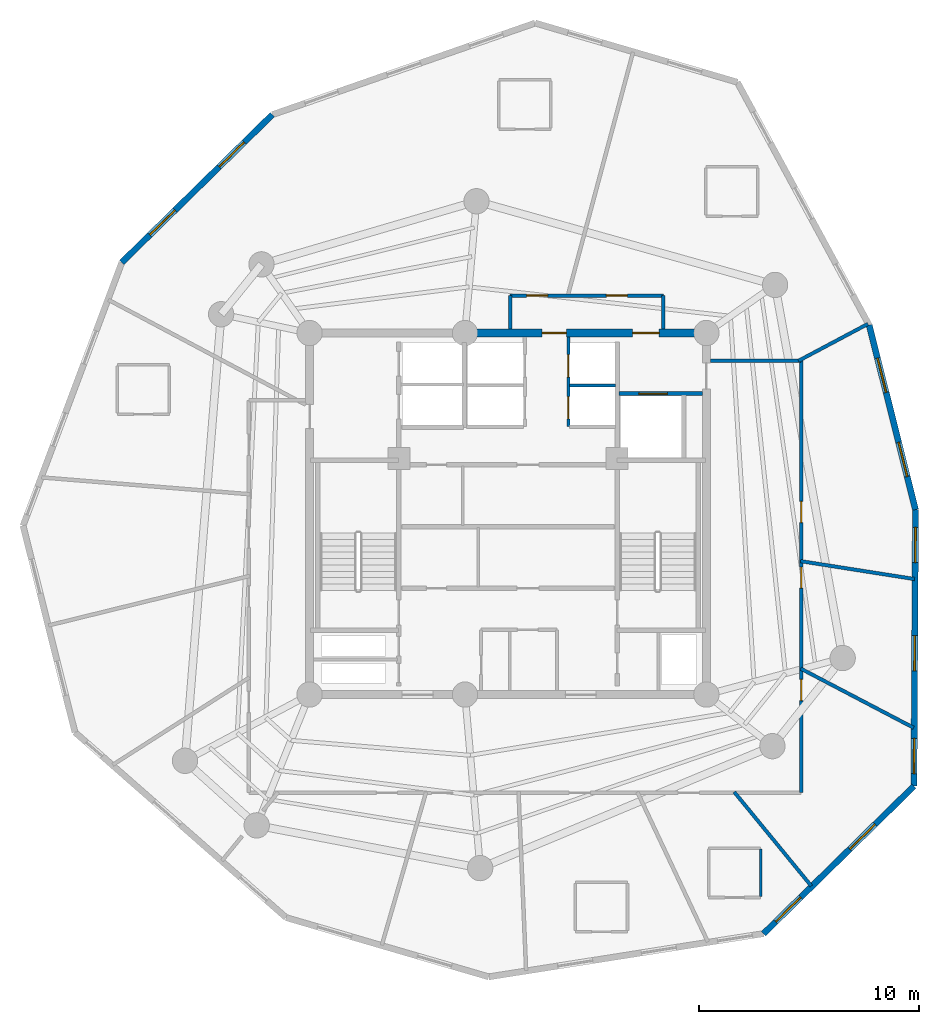
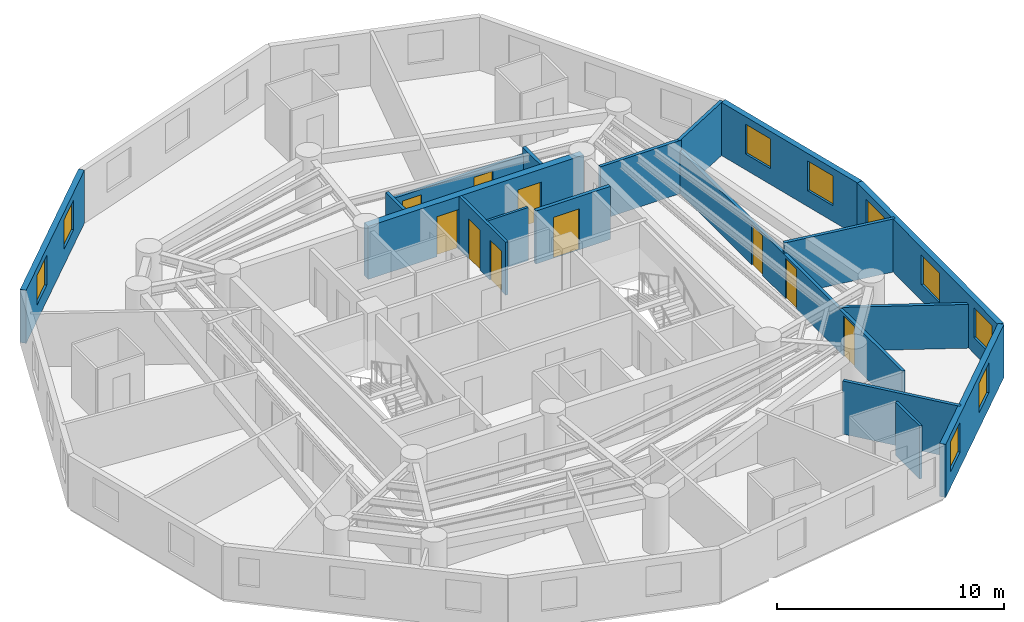
# One storey, part 5 of 7: 18 walls, 10 doors, 9 windows, 19 openings.
"""IFC4 building model written with IfcOpenShell, lengths in metres."""

from ifc_helpers import new_model, si_unit, direction, frame, frame_2d, origin, origin_with_axes, place, context, subcontext, project, spatial, rectangle, extrude, source, transform, mapped, material, layer, layer_set, type_object, element, fill, save


model = new_model("IFC4")

# Units and contexts
model_context = context("Model", 3, precision=1e-05, world=origin(), true_north=direction((0.0, 1.0)))
body_context = subcontext(model_context, "Body", "Model", "MODEL_VIEW")
ifc_project = project(units=[si_unit("LENGTHUNIT", "METRE"), si_unit("AREAUNIT", "SQUARE_METRE"), si_unit("VOLUMEUNIT", "CUBIC_METRE"), si_unit("PLANEANGLEUNIT", "RADIAN"), si_unit("MASSUNIT", "GRAM", prefix="KILO")], contexts=[model_context])

# Site, building, storey
site_placement = place(None, origin())
site = spatial("IfcSite", under=ifc_project, at=site_placement, CompositionType="ELEMENT")
building_placement = place(site_placement, origin())
building = spatial("IfcBuilding", under=site, at=building_placement, Name="Karkom Vertical University and Central Library", CompositionType="ELEMENT")
storey_placement = place(building_placement, frame((0.0, 0.0, 223.0)))
storey = spatial("IfcBuildingStorey", under=building, at=storey_placement, Name="L65", CompositionType="ELEMENT", Elevation=223.0)

# Wall, openings, windows
ifc_material_1 = material(Name="Brick-faced precast concrete C45/55", Category="masonry")
ifc_layer_1 = layer(ifc_material_1, 0.280029296875)
ifc_layer_set_1 = layer_set([ifc_layer_1], Name="Brick-faced precast concrete C45/55")
wall_type_1 = type_object("IfcWallType", Name="ENV-WL-BRK-280", PredefinedType="SOLIDWALL", material=ifc_layer_set_1)
wall_1_placement = place(storey_placement, frame((40.093994140625, 7.45361328125, 0.0), z_axis=(0.0, 0.0, 1.0), x_axis=(0.713743690398, 0.700406984843, 0.0)))
wall_1 = element("IfcWall", 1, at=wall_1_placement, inside=storey, type_object=wall_type_1, Name="Level 65 Brick-Faced Precast Facade Wall 05", PredefinedType="SOLIDWALL", context=body_context, shape_type="SweptSolid", body=[
    extrude(rectangle(XDim=9.5556640625, YDim=0.280029296875, at=frame_2d((4.77783203125, 0.0))), origin(), (0.0, 0.0, 1.0), 2.85009765625),
])
opening_1_placement = place(wall_1_placement, frame((0.76123046875, 0.0, 0.85009765625)))
opening_1 = element("IfcOpeningElement", 2, at=opening_1_placement, cuts=wall_1, Name="Opening WN-10", PredefinedType="OPENING", context=body_context, shape_type="SweptSolid", body=[
    extrude(rectangle(XDim=1.60009765625, YDim=1.60009765625, at=frame_2d((0.800048828125, 0.800048828125))), frame((0.0, 0.14990234375, 0.0), z_axis=(0.0, -1.0, 0.0), x_axis=(1.0, 0.0, 0.0)), (0.0, 0.0, 1.0), 0.300048828125),
])
opening_2_placement = place(wall_1_placement, frame((5.479248046875, 0.0, 0.85009765625)))
opening_2 = element("IfcOpeningElement", 3, at=opening_2_placement, cuts=wall_1, Name="Opening WN-10", PredefinedType="OPENING", context=body_context, shape_type="SweptSolid", body=[
    extrude(rectangle(XDim=1.60009765625, YDim=1.60009765625, at=frame_2d((0.800048828125, 0.800048828125))), frame((0.0, 0.14990234375, 0.0), z_axis=(0.0, -1.0, 0.0), x_axis=(1.0, 0.0, 0.0)), (0.0, 0.0, 1.0), 0.300048828125),
])
ifc_material_2 = material(Name="Aluminium thermal-break frame with solar-control IGU", Category="aluminium")
window_type = type_object("IfcWindowType", Name="ENV-WIN-WN-10", PartitioningType="SINGLE_PANEL", PredefinedType="WINDOW", material=ifc_material_2)
shared_shape_1 = source(origin_with_axes(), body_context, "Body", "SweptSolid", [
    extrude(rectangle(XDim=1.60009765625, YDim=1.60009765625, at=frame_2d((0.800048828125, 0.800048828125))), frame((0.0, 0.030029296875, 0.0), z_axis=(0.0, -1.0, 0.0), x_axis=(1.0, 0.0, 0.0)), (0.0, 0.0, 1.0), 0.06005859375),
])
window_1_placement = place(opening_1_placement, origin())
window_1 = element("IfcWindow", 4, at=window_1_placement, inside=storey, type_object=window_type, Name="Level 65 Punched Window 5.1", OverallHeight=1.60009765625, OverallWidth=1.60009765625, PartitioningType="SINGLE_PANEL", PredefinedType="WINDOW", context=body_context, shape_type="MappedRepresentation", body=[
    mapped(shared_shape_1, transform((0.0, 0.0, 0.0), scale=1.0)),
])
fill(opening_1, window_1)
window_2_placement = place(opening_2_placement, origin())
window_2 = element("IfcWindow", 5, at=window_2_placement, inside=storey, type_object=window_type, Name="Level 65 Punched Window 5.2", OverallHeight=1.60009765625, OverallWidth=1.60009765625, PartitioningType="SINGLE_PANEL", PredefinedType="WINDOW", context=body_context, shape_type="MappedRepresentation", body=[
    mapped(shared_shape_1, transform((0.0, 0.0, 0.0), scale=1.0)),
])
fill(opening_2, window_2)

wall_2_placement = place(storey_placement, frame((46.914306640625, 14.146484375, 0.0), z_axis=(0.0, 0.0, 1.0), x_axis=(0.005645228324, 0.999984065572, 0.0)))
wall_2 = element("IfcWall", 6, at=wall_2_placement, inside=storey, type_object=wall_type_1, Name="Level 65 Brick-Faced Precast Facade Wall 06", PredefinedType="SOLIDWALL", context=body_context, shape_type="SweptSolid", body=[
    extrude(rectangle(XDim=12.541748046875, YDim=0.280029296875, at=frame_2d((6.27099609375, 0.0))), origin(), (0.0, 0.0, 1.0), 2.85009765625),
])
opening_3_placement = place(wall_2_placement, frame((0.562744140625, 0.0, 0.85009765625)))
opening_3 = element("IfcOpeningElement", 7, at=opening_3_placement, cuts=wall_2, Name="Opening WN-10", PredefinedType="OPENING", context=body_context, shape_type="SweptSolid", body=[
    extrude(rectangle(XDim=1.60009765625, YDim=1.60009765625, at=frame_2d((0.800048828125, 0.800048828125))), frame((0.0, 0.14990234375, 0.0), z_axis=(0.0, -1.0, 0.0), x_axis=(1.0, 0.0, 0.0)), (0.0, 0.0, 1.0), 0.300048828125),
])
opening_4_placement = place(wall_2_placement, frame((5.231689453125, 0.0, 0.85009765625)))
opening_4 = element("IfcOpeningElement", 8, at=opening_4_placement, cuts=wall_2, Name="Opening WN-10", PredefinedType="OPENING", context=body_context, shape_type="SweptSolid", body=[
    extrude(rectangle(XDim=1.60009765625, YDim=1.60009765625, at=frame_2d((0.800048828125, 0.800048828125))), frame((0.0, 0.14990234375, 0.0), z_axis=(0.0, -1.0, 0.0), x_axis=(1.0, 0.0, 0.0)), (0.0, 0.0, 1.0), 0.300048828125),
])
opening_5_placement = place(wall_2_placement, frame((10.139892578125, 0.0, 0.85009765625)))
opening_5 = element("IfcOpeningElement", 9, at=opening_5_placement, cuts=wall_2, Name="Opening WN-10", PredefinedType="OPENING", context=body_context, shape_type="SweptSolid", body=[
    extrude(rectangle(XDim=1.60009765625, YDim=1.60009765625, at=frame_2d((0.800048828125, 0.800048828125))), frame((0.0, 0.14990234375, 0.0), z_axis=(0.0, -1.0, 0.0), x_axis=(1.0, 0.0, 0.0)), (0.0, 0.0, 1.0), 0.300048828125),
])
window_3_placement = place(opening_3_placement, origin())
window_3 = element("IfcWindow", 10, at=window_3_placement, inside=storey, type_object=window_type, Name="Level 65 Punched Window 6.1", OverallHeight=1.60009765625, OverallWidth=1.60009765625, PartitioningType="SINGLE_PANEL", PredefinedType="WINDOW", context=body_context, shape_type="MappedRepresentation", body=[
    mapped(shared_shape_1, transform((0.0, 0.0, 0.0), scale=1.0)),
])
fill(opening_3, window_3)
window_4_placement = place(opening_4_placement, origin())
window_4 = element("IfcWindow", 11, at=window_4_placement, inside=storey, type_object=window_type, Name="Level 65 Punched Window 6.2", OverallHeight=1.60009765625, OverallWidth=1.60009765625, PartitioningType="SINGLE_PANEL", PredefinedType="WINDOW", context=body_context, shape_type="MappedRepresentation", body=[
    mapped(shared_shape_1, transform((0.0, 0.0, 0.0), scale=1.0)),
])
fill(opening_4, window_4)
window_5_placement = place(opening_5_placement, origin())
window_5 = element("IfcWindow", 12, at=window_5_placement, inside=storey, type_object=window_type, Name="Level 65 Punched Window 6.3", OverallHeight=1.60009765625, OverallWidth=1.60009765625, PartitioningType="SINGLE_PANEL", PredefinedType="WINDOW", context=body_context, shape_type="MappedRepresentation", body=[
    mapped(shared_shape_1, transform((0.0, 0.0, 0.0), scale=1.0)),
])
fill(opening_5, window_5)

wall_3_placement = place(storey_placement, frame((46.985107421875, 26.68798828125, 0.0), z_axis=(0.0, 0.0, 1.0), x_axis=(-0.243281125362, 0.969955820665, 0.0)))
wall_3 = element("IfcWall", 13, at=wall_3_placement, inside=storey, type_object=wall_type_1, Name="Level 65 Brick-Faced Precast Facade Wall 07", PredefinedType="SOLIDWALL", context=body_context, shape_type="SweptSolid", body=[
    extrude(rectangle(XDim=8.62939453125, YDim=0.280029296875, at=frame_2d((4.314697265625, 0.0))), origin(), (0.0, 0.0, 1.0), 2.85009765625),
])
opening_6_placement = place(wall_3_placement, frame((1.54736328125, 0.0, 0.85009765625)))
opening_6 = element("IfcOpeningElement", 14, at=opening_6_placement, cuts=wall_3, Name="Opening WN-10", PredefinedType="OPENING", context=body_context, shape_type="SweptSolid", body=[
    extrude(rectangle(XDim=1.60009765625, YDim=1.60009765625, at=frame_2d((0.800048828125, 0.800048828125))), frame((0.0, 0.14990234375, 0.0), z_axis=(0.0, -1.0, 0.0), x_axis=(1.0, 0.0, 0.0)), (0.0, 0.0, 1.0), 0.300048828125),
])
opening_7_placement = place(wall_3_placement, frame((5.482177734375, 0.0, 0.85009765625)))
opening_7 = element("IfcOpeningElement", 15, at=opening_7_placement, cuts=wall_3, Name="Opening WN-10", PredefinedType="OPENING", context=body_context, shape_type="SweptSolid", body=[
    extrude(rectangle(XDim=1.60009765625, YDim=1.60009765625, at=frame_2d((0.800048828125, 0.800048828125))), frame((0.0, 0.14990234375, 0.0), z_axis=(0.0, -1.0, 0.0), x_axis=(1.0, 0.0, 0.0)), (0.0, 0.0, 1.0), 0.300048828125),
])
window_6_placement = place(opening_6_placement, origin())
window_6 = element("IfcWindow", 16, at=window_6_placement, inside=storey, type_object=window_type, Name="Level 65 Punched Window 7.1", OverallHeight=1.60009765625, OverallWidth=1.60009765625, PartitioningType="SINGLE_PANEL", PredefinedType="WINDOW", context=body_context, shape_type="MappedRepresentation", body=[
    mapped(shared_shape_1, transform((0.0, 0.0, 0.0), scale=1.0)),
])
fill(opening_6, window_6)
window_7_placement = place(opening_7_placement, origin())
window_7 = element("IfcWindow", 17, at=window_7_placement, inside=storey, type_object=window_type, Name="Level 65 Punched Window 7.2", OverallHeight=1.60009765625, OverallWidth=1.60009765625, PartitioningType="SINGLE_PANEL", PredefinedType="WINDOW", context=body_context, shape_type="MappedRepresentation", body=[
    mapped(shared_shape_1, transform((0.0, 0.0, 0.0), scale=1.0)),
])
fill(opening_7, window_7)

wall_4_placement = place(storey_placement, frame((17.815673828125, 44.609375, 0.0), z_axis=(0.0, 0.0, 1.0), x_axis=(-0.713717131466, -0.700434048467, 0.0)))
wall_4 = element("IfcWall", 18, at=wall_4_placement, inside=storey, type_object=wall_type_1, Name="Level 65 Brick-Faced Precast Facade Wall 11", PredefinedType="SOLIDWALL", context=body_context, shape_type="SweptSolid", body=[
    extrude(rectangle(XDim=9.575927734375, YDim=0.280029296875, at=frame_2d((4.7880859375, 0.0))), origin(), (0.0, 0.0, 1.0), 2.85009765625),
])
opening_8_placement = place(wall_4_placement, frame((1.783935546875, 0.0, 0.85009765625)))
opening_8 = element("IfcOpeningElement", 19, at=opening_8_placement, cuts=wall_4, Name="Opening WN-10", PredefinedType="OPENING", context=body_context, shape_type="SweptSolid", body=[
    extrude(rectangle(XDim=1.60009765625, YDim=1.60009765625, at=frame_2d((0.800048828125, 0.800048828125))), frame((0.0, 0.14990234375, 0.0), z_axis=(0.0, -1.0, 0.0), x_axis=(1.0, 0.0, 0.0)), (0.0, 0.0, 1.0), 0.300048828125),
])
opening_9_placement = place(wall_4_placement, frame((6.19189453125, 0.0, 0.85009765625)))
opening_9 = element("IfcOpeningElement", 20, at=opening_9_placement, cuts=wall_4, Name="Opening WN-10", PredefinedType="OPENING", context=body_context, shape_type="SweptSolid", body=[
    extrude(rectangle(XDim=1.60009765625, YDim=1.60009765625, at=frame_2d((0.800048828125, 0.800048828125))), frame((0.0, 0.14990234375, 0.0), z_axis=(0.0, -1.0, 0.0), x_axis=(1.0, 0.0, 0.0)), (0.0, 0.0, 1.0), 0.300048828125),
])
window_8_placement = place(opening_8_placement, origin())
window_8 = element("IfcWindow", 21, at=window_8_placement, inside=storey, type_object=window_type, Name="Level 65 Punched Window 11.1", OverallHeight=1.60009765625, OverallWidth=1.60009765625, PartitioningType="SINGLE_PANEL", PredefinedType="WINDOW", context=body_context, shape_type="MappedRepresentation", body=[
    mapped(shared_shape_1, transform((0.0, 0.0, 0.0), scale=1.0)),
])
fill(opening_8, window_8)
window_9_placement = place(opening_9_placement, origin())
window_9 = element("IfcWindow", 22, at=window_9_placement, inside=storey, type_object=window_type, Name="Level 65 Punched Window 11.2", OverallHeight=1.60009765625, OverallWidth=1.60009765625, PartitioningType="SINGLE_PANEL", PredefinedType="WINDOW", context=body_context, shape_type="MappedRepresentation", body=[
    mapped(shared_shape_1, transform((0.0, 0.0, 0.0), scale=1.0)),
])
fill(opening_9, window_9)

# Wall, openings, doors
ifc_material_3 = material(Name="Insulated metal-stud drywall 160mm", Category="gypsum")
ifc_layer_2 = layer(ifc_material_3, 0.159912109375)
ifc_layer_set_2 = layer_set([ifc_layer_2], Name="Insulated metal-stud drywall 160mm")
wall_type_2 = type_object("IfcWallType", Name="INT-WL-COR-160", PredefinedType="PARTITIONING", material=ifc_layer_set_2)
wall_5_placement = place(storey_placement, frame((41.800048828125, 33.449951171875, 0.0), z_axis=(0.0, 0.0, 1.0), x_axis=(0.0, -1.0, 0.0)))
wall_5 = element("IfcWall", 23, at=wall_5_placement, inside=storey, type_object=wall_type_2, Name="Level 65 Interior Partition Wall L65-CORW-CW-005", PredefinedType="PARTITIONING", context=body_context, shape_type="SweptSolid", body=[
    extrude(rectangle(XDim=19.599853515625, YDim=0.159912109375, at=frame_2d((9.7998046875, 0.0))), origin(), (0.0, 0.0, 1.0), 2.300048828125),
])
opening_10_placement = place(wall_5_placement, frame((14.465087890625, 0.0, 0.0)))
opening_10 = element("IfcOpeningElement", 24, at=opening_10_placement, cuts=wall_5, Name="Opening FD-RM2", PredefinedType="OPENING", context=body_context, shape_type="SweptSolid", body=[
    extrude(rectangle(XDim=0.9599609375, YDim=2.14990234375, at=frame_2d((0.47998046875, 1.074951171875))), frame((0.0, 0.08984375, 0.0), z_axis=(0.0, -1.0, 0.0), x_axis=(1.0, 0.0, 0.0)), (0.0, 0.0, 1.0), 0.179931640625),
])
opening_11_placement = place(wall_5_placement, frame((9.364990234375, 0.0, 0.0)))
opening_11 = element("IfcOpeningElement", 25, at=opening_11_placement, cuts=wall_5, Name="Opening FD-RM2", PredefinedType="OPENING", context=body_context, shape_type="SweptSolid", body=[
    extrude(rectangle(XDim=0.9599609375, YDim=2.14990234375, at=frame_2d((0.47998046875, 1.074951171875))), frame((0.0, 0.08984375, 0.0), z_axis=(0.0, -1.0, 0.0), x_axis=(1.0, 0.0, 0.0)), (0.0, 0.0, 1.0), 0.179931640625),
])
opening_12_placement = place(wall_5_placement, frame((6.385009765625, 0.0, 0.0)))
opening_12 = element("IfcOpeningElement", 26, at=opening_12_placement, cuts=wall_5, Name="Opening FD-RM2", PredefinedType="OPENING", context=body_context, shape_type="SweptSolid", body=[
    extrude(rectangle(XDim=0.9599609375, YDim=2.14990234375, at=frame_2d((0.47998046875, 1.074951171875))), frame((0.0, 0.08984375, 0.0), z_axis=(0.0, -1.0, 0.0), x_axis=(1.0, 0.0, 0.0)), (0.0, 0.0, 1.0), 0.179931640625),
])
ifc_material_4 = material(Name="Fire-rated oak veneer door", Category="wood")
door_type_1 = type_object("IfcDoorType", Name="INT-DR-FRM2", OperationType="NOTDEFINED", PredefinedType="DOOR", material=ifc_material_4)
shared_shape_2 = source(origin_with_axes(), body_context, "Body", "SweptSolid", [
    extrude(rectangle(XDim=0.9599609375, YDim=2.14990234375, at=frame_2d((0.47998046875, 1.074951171875))), frame((0.0, 0.02490234375, 0.0), z_axis=(0.0, -1.0, 0.0), x_axis=(1.0, 0.0, 0.0)), (0.0, 0.0, 1.0), 0.050048828125),
])
door_1_placement = place(opening_10_placement, origin())
door_1 = element("IfcDoor", 27, at=door_1_placement, inside=storey, type_object=door_type_1, Name="Level 65 Room Entry Door 307", OperationType="SINGLE_SWING_LEFT", OverallHeight=2.14990234375, OverallWidth=0.9599609375, PredefinedType="DOOR", context=body_context, shape_type="MappedRepresentation", body=[
    mapped(shared_shape_2, transform((0.0, 0.0, 0.0), scale=1.0)),
])
fill(opening_10, door_1)
door_2_placement = place(opening_11_placement, origin())
door_2 = element("IfcDoor", 28, at=door_2_placement, inside=storey, type_object=door_type_1, Name="Level 65 Room Entry Door 308", OperationType="SINGLE_SWING_RIGHT", OverallHeight=2.14990234375, OverallWidth=0.9599609375, PredefinedType="DOOR", context=body_context, shape_type="MappedRepresentation", body=[
    mapped(shared_shape_2, transform((0.0, 0.0, 0.0), scale=1.0)),
])
fill(opening_11, door_2)
door_3_placement = place(opening_12_placement, origin())
door_3 = element("IfcDoor", 29, at=door_3_placement, inside=storey, type_object=door_type_1, Name="Level 65 Room Entry Door 309", OperationType="SINGLE_SWING_LEFT", OverallHeight=2.14990234375, OverallWidth=0.9599609375, PredefinedType="DOOR", context=body_context, shape_type="MappedRepresentation", body=[
    mapped(shared_shape_2, transform((0.0, 0.0, 0.0), scale=1.0)),
])
fill(opening_12, door_3)

wall_6_placement = place(storey_placement, frame((28.60009765625, 36.39990234375, 0.0), z_axis=(0.0, 0.0, 1.0), x_axis=(1.0, 0.0, 0.0)))
wall_6 = element("IfcWall", 30, at=wall_6_placement, inside=storey, type_object=wall_type_2, Name="Level 65 Interior Partition Wall L65-CORW-CW-007", PredefinedType="PARTITIONING", context=body_context, shape_type="SweptSolid", body=[
    extrude(rectangle(XDim=6.949951171875, YDim=0.159912109375, at=frame_2d((3.47509765625, 0.0))), origin(), (0.0, 0.0, 1.0), 2.449951171875),
])
opening_13_placement = place(wall_6_placement, frame((4.358154296875, 0.0, 0.0)))
opening_13 = element("IfcOpeningElement", 31, at=opening_13_placement, cuts=wall_6, Name="Opening FD-RM2", PredefinedType="OPENING", context=body_context, shape_type="SweptSolid", body=[
    extrude(rectangle(XDim=0.9599609375, YDim=2.14990234375, at=frame_2d((0.47998046875, 1.074951171875))), frame((0.0, 0.08984375, 0.0), z_axis=(0.0, -1.0, 0.0), x_axis=(1.0, 0.0, 0.0)), (0.0, 0.0, 1.0), 0.179931640625),
])
opening_14_placement = place(wall_6_placement, frame((0.740966796875, 0.0, 0.0)))
opening_14 = element("IfcOpeningElement", 32, at=opening_14_placement, cuts=wall_6, Name="Opening FD-RM2", PredefinedType="OPENING", context=body_context, shape_type="SweptSolid", body=[
    extrude(rectangle(XDim=0.9599609375, YDim=2.14990234375, at=frame_2d((0.47998046875, 1.074951171875))), frame((0.0, 0.08984375, 0.0), z_axis=(0.0, -1.0, 0.0), x_axis=(1.0, 0.0, 0.0)), (0.0, 0.0, 1.0), 0.179931640625),
])
door_4_placement = place(opening_13_placement, origin())
door_4 = element("IfcDoor", 33, at=door_4_placement, inside=storey, type_object=door_type_1, Name="Level 65 Room Entry Door 420", OperationType="SINGLE_SWING_LEFT", OverallHeight=2.14990234375, OverallWidth=0.9599609375, PredefinedType="DOOR", context=body_context, shape_type="MappedRepresentation", body=[
    mapped(shared_shape_2, transform((0.0, 0.0, 0.0), scale=1.0)),
])
fill(opening_13, door_4)
door_5_placement = place(opening_14_placement, origin())
door_5 = element("IfcDoor", 34, at=door_5_placement, inside=storey, type_object=door_type_1, Name="Level 65 Room Entry Door 422", OperationType="SINGLE_SWING_LEFT", OverallHeight=2.14990234375, OverallWidth=0.9599609375, PredefinedType="DOOR", context=body_context, shape_type="MappedRepresentation", body=[
    mapped(shared_shape_2, transform((0.0, 0.0, 0.0), scale=1.0)),
])
fill(opening_14, door_5)

# Walls
wall_7_placement = place(storey_placement, frame((41.7734375, 19.479736328125, 0.0), z_axis=(0.0, 0.0, 1.0), x_axis=(0.88584310176, -0.463984912539, 0.0)))
element("IfcWall", 35, at=wall_7_placement, inside=storey, type_object=wall_type_2, Name="Level 65 Interior Partition Wall L65-PW-010", PredefinedType="PARTITIONING", context=body_context, shape_type="SweptSolid", body=[
    extrude(rectangle(XDim=5.78369140625, YDim=0.159912109375, at=frame_2d((2.891845703125, 0.0))), origin(), (0.0, 0.0, 1.0), 2.35009765625),
])
wall_8_placement = place(storey_placement, frame((38.760498046875, 13.884765625, 0.0), z_axis=(0.0, 0.0, 1.0), x_axis=(0.633878090899, -0.773432974393, 0.0)))
element("IfcWall", 36, at=wall_8_placement, inside=storey, type_object=wall_type_2, Name="Level 65 Interior Partition Wall L65-PW-009", PredefinedType="PARTITIONING", context=body_context, shape_type="SweptSolid", body=[
    extrude(rectangle(XDim=5.521240234375, YDim=0.159912109375, at=frame_2d((2.7607421875, 0.0))), origin(), (0.0, 0.0, 1.0), 2.85009765625),
])
wall_9_placement = place(storey_placement, frame((41.7705078125, 24.3525390625, 0.0), z_axis=(0.0, 0.0, 1.0), x_axis=(0.98785882896, -0.155354221201, 0.0)))
element("IfcWall", 37, at=wall_9_placement, inside=storey, type_object=wall_type_2, Name="Level 65 Interior Partition Wall L65-PW-011", PredefinedType="PARTITIONING", context=body_context, shape_type="SweptSolid", body=[
    extrude(rectangle(XDim=5.234619140625, YDim=0.159912109375, at=frame_2d((2.6171875, 0.0))), origin(), (0.0, 0.0, 1.0), 2.85009765625),
])
wall_10_placement = place(storey_placement, frame((37.681884765625, 33.449951171875, 0.0), z_axis=(0.0, 0.0, 1.0), x_axis=(1.0, 0.0, 0.0)))
element("IfcWall", 38, at=wall_10_placement, inside=storey, type_object=wall_type_2, Name="Level 65 Interior Partition Wall L65-CORW-CW-004", PredefinedType="PARTITIONING", context=body_context, shape_type="SweptSolid", body=[
    extrude(rectangle(XDim=4.1181640625, YDim=0.159912109375, at=frame_2d((2.05908203125, 0.0))), origin(), (0.0, 0.0, 1.0), 2.85009765625),
])
wall_11_placement = place(storey_placement, frame((41.67236328125, 33.435791015625, 0.0), z_axis=(0.0, 0.0, 1.0), x_axis=(0.882940491391, 0.469484918461, 0.0)))
element("IfcWall", 39, at=wall_11_placement, inside=storey, type_object=wall_type_2, Name="Level 65 Interior Partition Wall L65-PW-012", PredefinedType="PARTITIONING", context=body_context, shape_type="SweptSolid", body=[
    extrude(rectangle(XDim=3.572998046875, YDim=0.159912109375, at=frame_2d((1.78662109375, 0.0))), origin(), (0.0, 0.0, 1.0), 2.85009765625),
])
for number, where, z_axis, x_axis, name in (
    (40, (28.60009765625, 34.882080078125, 0.0), (0.0, 0.0, 1.0), (0.0, 1.0, 0.0), "Level 65 Interior Partition Wall L65-CORW-CW-006"),
    (41, (35.550048828125, 36.39990234375, 0.0), (0.0, 0.0, 1.0), (0.0, -1.0, 0.0), "Level 65 Interior Partition Wall L65-CORW-CW-008"),
):
    element("IfcWall", number, at=place(storey_placement, frame(where, z_axis=z_axis, x_axis=x_axis)), inside=storey, type_object=wall_type_2, Name=name, PredefinedType="PARTITIONING", context=body_context, shape_type="SweptSolid", body=[
        extrude(rectangle(XDim=1.517822265625, YDim=0.159912109375, at=frame_2d((0.7587890625, 0.0))), origin(), (0.0, 0.0, 1.0), 2.85009765625),
    ])
ifc_material_5 = material(Name="Moisture-resistant drywall 120mm", Category="gypsum")
ifc_layer_3 = layer(ifc_material_5, 0.1201171875)
ifc_layer_set_3 = layer_set([ifc_layer_3], Name="Moisture-resistant drywall 120mm")
wall_type_3 = type_object("IfcWallType", Name="INT-WL-INT-120F", PredefinedType="PARTITIONING", material=ifc_layer_set_3)
wall_12_placement = place(storey_placement, frame((39.958984375, 9.14501953125, 0.0), z_axis=(0.0, 0.0, 1.0), x_axis=(0.0, 1.0, 0.0)))
element("IfcWall", 42, at=wall_12_placement, inside=storey, type_object=wall_type_3, Name="Level 65 Interior Partition Wall L65-ENS-46-E", PredefinedType="PARTITIONING", context=body_context, shape_type="SweptSolid", body=[
    extrude(rectangle(XDim=2.139892578125, YDim=0.1201171875, at=frame_2d((1.06982421875, 0.0))), origin(), (0.0, 0.0, 1.0), 2.85009765625),
])
ifc_layer_4 = layer(ifc_material_5, 0.1201171875)
ifc_layer_set_4 = layer_set([ifc_layer_4], Name="Moisture-resistant drywall 120mm")
wall_type_4 = type_object("IfcWallType", Name="INT-WL-INT-120H", PredefinedType="PARTITIONING", material=ifc_layer_set_4)
wall_13_placement = place(storey_placement, frame((31.300048828125, 32.320068359375, 0.0), z_axis=(0.0, 0.0, 1.0), x_axis=(1.0, 0.0, 0.0)))
element("IfcWall", 43, at=wall_13_placement, inside=storey, type_object=wall_type_4, Name="Level 65 Interior Partition Wall L65-CW-PH-ME", PredefinedType="PARTITIONING", context=body_context, shape_type="SweptSolid", body=[
    extrude(rectangle(XDim=2.074951171875, YDim=0.1201171875, at=frame_2d((1.03759765625, 0.0))), origin(), (0.0, 0.0, 1.0), 2.85009765625),
])

# Wall, openings, doors
ifc_material_6 = material(Name="Metal-stud gypsum partition 140mm", Category="gypsum")
ifc_layer_5 = layer(ifc_material_6, 0.139892578125)
ifc_layer_set_5 = layer_set([ifc_layer_5], Name="Metal-stud gypsum partition 140mm")
wall_type_5 = type_object("IfcWallType", Name="INT-WL-SUB-140H", PredefinedType="PARTITIONING", material=ifc_layer_set_5)
wall_14_placement = place(storey_placement, frame((31.239990234375, 30.449951171875, 0.0), z_axis=(0.0, 0.0, 1.0), x_axis=(0.0, 1.0, 0.0)))
wall_14 = element("IfcWall", 44, at=wall_14_placement, inside=storey, type_object=wall_type_5, Name="Level 65 Interior Partition Wall L65-CW-PH-E", PredefinedType="PARTITIONING", context=body_context, shape_type="SweptSolid", body=[
    extrude(rectangle(XDim=4.068115234375, YDim=0.139892578125, at=frame_2d((2.0341796875, 0.0))), origin(), (0.0, 0.0, 1.0), 2.85009765625),
])
opening_15_placement = place(wall_14_placement, frame((0.35009765625, 0.0, 0.0)))
opening_15 = element("IfcOpeningElement", 45, at=opening_15_placement, cuts=wall_14, Name="Opening LD-PH", PredefinedType="OPENING", context=body_context, shape_type="SweptSolid", body=[
    extrude(rectangle(XDim=1.02001953125, YDim=2.14990234375, at=frame_2d((0.510009765625, 1.074951171875))), frame((0.0, 0.080078125, 0.0), z_axis=(0.0, -1.0, 0.0), x_axis=(1.0, 0.0, 0.0)), (0.0, 0.0, 1.0), 0.159912109375),
])
opening_16_placement = place(wall_14_placement, frame((2.25, 0.0, 0.0)))
opening_16 = element("IfcOpeningElement", 46, at=opening_16_placement, cuts=wall_14, Name="Opening LD-PH", PredefinedType="OPENING", context=body_context, shape_type="SweptSolid", body=[
    extrude(rectangle(XDim=1.02001953125, YDim=2.14990234375, at=frame_2d((0.510009765625, 1.074951171875))), frame((0.0, 0.080078125, 0.0), z_axis=(0.0, -1.0, 0.0), x_axis=(1.0, 0.0, 0.0)), (0.0, 0.0, 1.0), 0.159912109375),
])
ifc_material_7 = material(Name="Brushed stainless-steel landing door", Category="steel")
door_type_2 = type_object("IfcDoorType", Name="INT-DR-LD-PH", OperationType="SLIDING_TO_LEFT", PredefinedType="DOOR", material=ifc_material_7)
shared_shape_3 = source(origin_with_axes(), body_context, "Body", "SweptSolid", [
    extrude(rectangle(XDim=1.02001953125, YDim=2.14990234375, at=frame_2d((0.510009765625, 1.074951171875))), frame((0.0, 0.02490234375, 0.0), z_axis=(0.0, -1.0, 0.0), x_axis=(1.0, 0.0, 0.0)), (0.0, 0.0, 1.0), 0.050048828125),
])
door_6_placement = place(opening_15_placement, origin())
door_6 = element("IfcDoor", 47, at=door_6_placement, inside=storey, type_object=door_type_2, Name="Level 65 Lift PH-3 Landing Door", OperationType="SLIDING_TO_LEFT", OverallHeight=2.14990234375, OverallWidth=1.02001953125, PredefinedType="DOOR", context=body_context, shape_type="MappedRepresentation", body=[
    mapped(shared_shape_3, transform((0.0, 0.0, 0.0), scale=1.0)),
])
fill(opening_15, door_6)
door_7_placement = place(opening_16_placement, origin())
door_7 = element("IfcDoor", 48, at=door_7_placement, inside=storey, type_object=door_type_2, Name="Level 65 Lift PH-4 Landing Door", OperationType="SLIDING_TO_LEFT", OverallHeight=2.14990234375, OverallWidth=1.02001953125, PredefinedType="DOOR", context=body_context, shape_type="MappedRepresentation", body=[
    mapped(shared_shape_3, transform((0.0, 0.0, 0.0), scale=1.0)),
])
fill(opening_16, door_7)

# Wall, opening, door
ifc_material_8 = material(Name="Twin-stud acoustic drywall 180mm", Category="gypsum")
ifc_layer_6 = layer(ifc_material_8, 0.179931640625)
ifc_layer_set_6 = layer_set([ifc_layer_6], Name="Twin-stud acoustic drywall 180mm")
wall_type_6 = type_object("IfcWallType", Name="INT-WL-TEN-180F", PredefinedType="PARTITIONING", material=ifc_layer_set_6)
wall_15_placement = place(storey_placement, frame((33.534912109375, 31.949951171875, 0.0), z_axis=(0.0, 0.0, 1.0), x_axis=(1.0, 0.0, 0.0)))
wall_15 = element("IfcWall", 49, at=wall_15_placement, inside=storey, type_object=wall_type_6, Name="Level 65 Interior Partition Wall L65-CW-SVL-N", PredefinedType="PARTITIONING", context=body_context, shape_type="SweptSolid", body=[
    extrude(rectangle(XDim=3.783935546875, YDim=0.179931640625, at=frame_2d((1.89208984375, 0.0))), origin(), (0.0, 0.0, 1.0), 2.85009765625),
])
opening_17_placement = place(wall_15_placement, frame((0.89990234375, 0.0, 0.0)))
opening_17 = element("IfcOpeningElement", 50, at=opening_17_placement, cuts=wall_15, Name="Opening LD-SV1", PredefinedType="OPENING", context=body_context, shape_type="SweptSolid", body=[
    extrude(rectangle(XDim=1.300048828125, YDim=2.199951171875, at=frame_2d((0.64990234375, 1.10009765625))), frame((0.0, 0.10009765625, 0.0), z_axis=(0.0, -1.0, 0.0), x_axis=(1.0, 0.0, 0.0)), (0.0, 0.0, 1.0), 0.199951171875),
])
door_type_3 = type_object("IfcDoorType", Name="INT-DR-LD-SV1", OperationType="SLIDING_TO_LEFT", PredefinedType="DOOR", material=ifc_material_7)
shared_shape_4 = source(origin_with_axes(), body_context, "Body", "SweptSolid", [
    extrude(rectangle(XDim=1.300048828125, YDim=2.199951171875, at=frame_2d((0.64990234375, 1.10009765625))), frame((0.0, 0.02490234375, 0.0), z_axis=(0.0, -1.0, 0.0), x_axis=(1.0, 0.0, 0.0)), (0.0, 0.0, 1.0), 0.050048828125),
])
door_8_placement = place(opening_17_placement, origin())
door_8 = element("IfcDoor", 51, at=door_8_placement, inside=storey, type_object=door_type_3, Name="Level 65 Service Lift Landing Door LD-SV1", OperationType="SLIDING_TO_LEFT", OverallHeight=2.199951171875, OverallWidth=1.300048828125, PredefinedType="DOOR", context=body_context, shape_type="MappedRepresentation", body=[
    mapped(shared_shape_4, transform((0.0, 0.0, 0.0), scale=1.0)),
])
fill(opening_17, door_8)

# Wall, openings, doors
ifc_material_9 = material(Name="Concrete C45/55", Category="concrete")
ifc_layer_7 = layer(ifc_material_9, 0.35009765625)
ifc_layer_set_7 = layer_set([ifc_layer_7], Name="Concrete C45/55")
wall_type_7 = type_object("IfcWallType", Name="STR-WL-CW-350", PredefinedType="SHEAR", material=ifc_layer_set_7)
wall_16_placement = place(storey_placement, frame((37.5, 34.699951171875, 0.0), z_axis=(0.0, 0.0, 1.0), x_axis=(-1.0, 0.0, 0.0)))
wall_16 = element("IfcWall", 52, at=wall_16_placement, inside=storey, type_object=wall_type_7, Name="Level 65 Central Core Shear Wall NW1", PredefinedType="SHEAR", context=body_context, shape_type="SweptSolid", body=[
    extrude(rectangle(XDim=10.949951171875, YDim=0.35009765625, at=frame_2d((5.47509765625, 0.0))), origin(), (0.0, 0.0, 1.0), 2.85009765625),
])
opening_18_placement = place(wall_16_placement, frame((2.14990234375, 0.0, 0.0)))
opening_18 = element("IfcOpeningElement", 53, at=opening_18_placement, cuts=wall_16, Name="Opening FD-SUB1", PredefinedType="OPENING", context=body_context, shape_type="SweptSolid", body=[
    extrude(rectangle(XDim=1.199951171875, YDim=2.14990234375, at=frame_2d((0.60009765625, 1.074951171875))), frame((0.0, 0.18505859375, 0.0), z_axis=(0.0, -1.0, 0.0), x_axis=(1.0, 0.0, 0.0)), (0.0, 0.0, 1.0), 0.3701171875),
])
opening_19_placement = place(wall_16_placement, frame((6.35009765625, 0.0, 0.0)))
opening_19 = element("IfcOpeningElement", 54, at=opening_19_placement, cuts=wall_16, Name="Opening FD-FFL", PredefinedType="OPENING", context=body_context, shape_type="SweptSolid", body=[
    extrude(rectangle(XDim=1.10009765625, YDim=2.14990234375, at=frame_2d((0.550048828125, 1.074951171875))), frame((0.0, 0.18505859375, 0.0), z_axis=(0.0, -1.0, 0.0), x_axis=(1.0, 0.0, 0.0)), (0.0, 0.0, 1.0), 0.3701171875),
])
ifc_material_10 = material(Name="Painted steel smoke-seal fire door", Category="steel")
door_type_4 = type_object("IfcDoorType", Name="INT-DR-FFL", OperationType="NOTDEFINED", PredefinedType="DOOR", material=ifc_material_10)
shared_shape_5 = source(origin_with_axes(), body_context, "Body", "SweptSolid", [
    extrude(rectangle(XDim=1.10009765625, YDim=2.14990234375, at=frame_2d((0.550048828125, 1.074951171875))), frame((0.0, 0.02490234375, 0.0), z_axis=(0.0, -1.0, 0.0), x_axis=(1.0, 0.0, 0.0)), (0.0, 0.0, 1.0), 0.050048828125),
])
door_9_placement = place(opening_19_placement, origin())
door_9 = element("IfcDoor", 55, at=door_9_placement, inside=storey, type_object=door_type_4, Name="Level 65 North Core Lobby Exit Door", OperationType="SINGLE_SWING_LEFT", OverallHeight=2.14990234375, OverallWidth=1.10009765625, PredefinedType="DOOR", context=body_context, shape_type="MappedRepresentation", body=[
    mapped(shared_shape_5, transform((0.0, 0.0, 0.0), scale=1.0)),
])
fill(opening_19, door_9)
ifc_material_11 = material(Name="Painted steel fire door", Category="steel")
door_type_5 = type_object("IfcDoorType", Name="INT-DR-SUB1", OperationType="NOTDEFINED", PredefinedType="DOOR", material=ifc_material_11)
shared_shape_6 = source(origin_with_axes(), body_context, "Body", "SweptSolid", [
    extrude(rectangle(XDim=1.199951171875, YDim=2.14990234375, at=frame_2d((0.60009765625, 1.074951171875))), frame((0.0, 0.02490234375, 0.0), z_axis=(0.0, -1.0, 0.0), x_axis=(1.0, 0.0, 0.0)), (0.0, 0.0, 1.0), 0.050048828125),
])
door_10_placement = place(opening_18_placement, origin())
door_10 = element("IfcDoor", 56, at=door_10_placement, inside=storey, type_object=door_type_5, Name="Level 65 Service Lobby Fire Door", OperationType="SINGLE_SWING_LEFT", OverallHeight=2.14990234375, OverallWidth=1.199951171875, PredefinedType="DOOR", context=body_context, shape_type="MappedRepresentation", body=[
    mapped(shared_shape_6, transform((0.0, 0.0, 0.0), scale=1.0)),
])
fill(opening_18, door_10)

save(model, "model.ifc")
